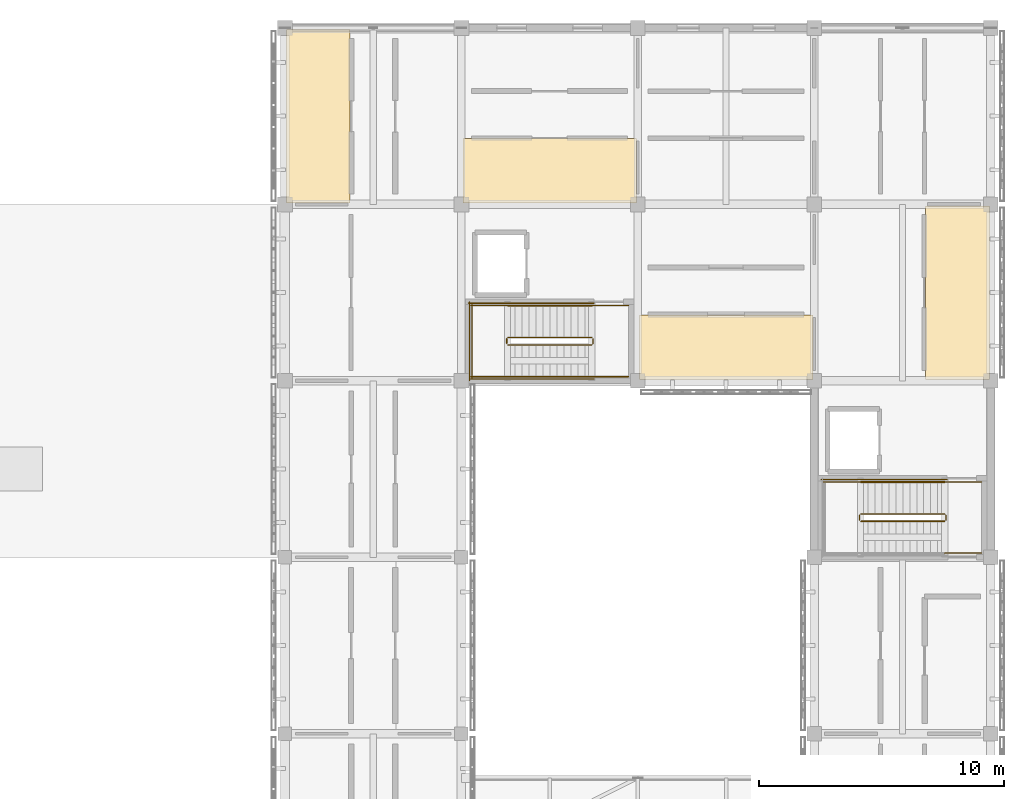
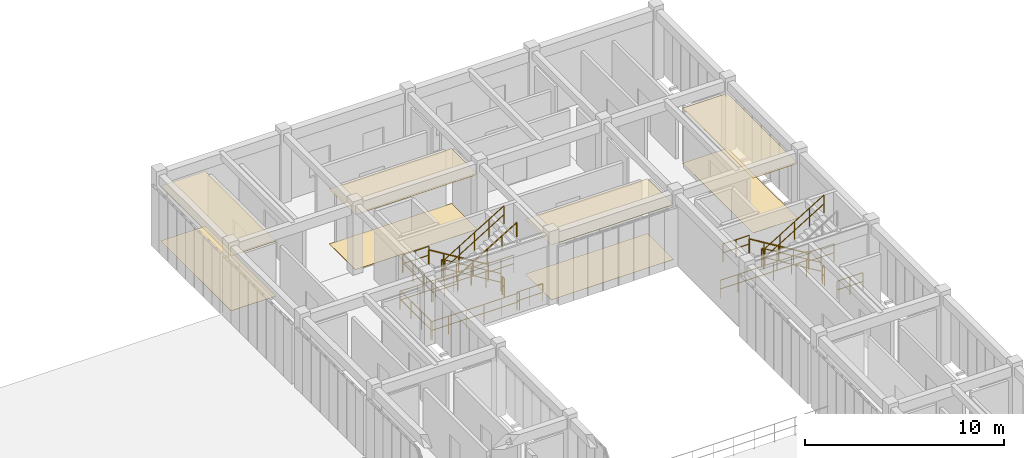
# One storey, part 91 of 91: 23 railings, 8 coverings.
"""IFC4 building model written with IfcOpenShell, lengths in metres."""

from ifc_helpers import new_model, si_unit, direction, frame, origin, origin_2d, place, context, subcontext, project, spatial, polyline, circle, outline, extrude, material, layer, layer_set, type_object, element, save


model = new_model("IFC4")

# Units and contexts
model_context = context("Model", 3, precision=1e-05, world=origin(), true_north=direction((0.0, 1.0)))
body_context = subcontext(model_context, "Body", "Model", "MODEL_VIEW")
ifc_project = project(units=[si_unit("LENGTHUNIT", "METRE"), si_unit("AREAUNIT", "SQUARE_METRE"), si_unit("VOLUMEUNIT", "CUBIC_METRE"), si_unit("PLANEANGLEUNIT", "RADIAN"), si_unit("MASSUNIT", "GRAM", prefix="KILO")], contexts=[model_context])

# Site, building, storey
site_placement = place(None, origin())
site = spatial("IfcSite", under=ifc_project, at=site_placement, CompositionType="ELEMENT")
building_placement = place(site_placement, origin())
building = spatial("IfcBuilding", under=site, at=building_placement, Name="Aldebral Square Health Centre", CompositionType="ELEMENT")
storey_placement = place(building_placement, frame((0.0, 0.0, 9.0)))
storey = spatial("IfcBuildingStorey", under=building, at=storey_placement, Name="L02", CompositionType="ELEMENT", Elevation=9.0)

# Coverings
ifc_material_1 = material(Name="Hygienic acoustic mineral ceiling tile")
ifc_layer_1 = layer(ifc_material_1, 0.02001953125, Name="Hygienic acoustic mineral ceiling tile")
ifc_layer_set_1 = layer_set([ifc_layer_1], Name="Hygienic acoustic mineral ceiling tile")
covering_type_1 = type_object("IfcCoveringType", Name="COV-CLG-AC", PredefinedType="CEILING", material=ifc_layer_set_1)
covering_1_placement = place(storey_placement, frame((0.0, 0.0, 3.360107421875)))
element("IfcCovering", 1, at=covering_1_placement, inside=storey, type_object=covering_type_1, Name="L02 Orthopaedic Cast Clinic 20.16W acoustic ceiling", PredefinedType="CEILING", context=body_context, shape_type="SweptSolid", body=[
    extrude(outline(polyline([(136.860107421875, 108.06005859375), (139.4599609375, 108.06005859375), (139.4599609375, 115.139892578125), (136.860107421875, 115.139892578125), (136.860107421875, 108.06005859375)])), origin(), (0.0, 0.0, 1.0), 0.019775390625),
])
covering_2_placement = place(storey_placement, frame((0.0, 0.0, 3.360107421875)))
element("IfcCovering", 2, at=covering_2_placement, inside=storey, type_object=covering_type_1, Name="L02 Ophthalmology Exam Suite 21.16S acoustic ceiling", PredefinedType="CEILING", context=body_context, shape_type="SweptSolid", body=[
    extrude(outline(polyline([(144.06005859375, 108.06005859375), (151.139892578125, 108.06005859375), (151.139892578125, 110.679931640625), (144.06005859375, 110.679931640625), (144.06005859375, 108.06005859375)])), origin(), (0.0, 0.0, 1.0), 0.019775390625),
])
covering_3_placement = place(storey_placement, frame((0.0, 0.0, 3.360107421875)))
element("IfcCovering", 3, at=covering_3_placement, inside=storey, type_object=covering_type_1, Name="L02 Accessible WC 22.15S acoustic ceiling", PredefinedType="CEILING", context=body_context, shape_type="SweptSolid", body=[
    extrude(outline(polyline([(151.260009765625, 100.860107421875), (158.340087890625, 100.860107421875), (158.340087890625, 103.47998046875), (151.260009765625, 103.47998046875), (151.260009765625, 100.860107421875)])), origin(), (0.0, 0.0, 1.0), 0.019775390625),
])
covering_4_placement = place(storey_placement, frame((0.0, 0.0, 3.360107421875)))
element("IfcCovering", 4, at=covering_4_placement, inside=storey, type_object=covering_type_1, Name="L02 Accessible WC 23.15E acoustic ceiling", PredefinedType="CEILING", context=body_context, shape_type="SweptSolid", body=[
    extrude(outline(polyline([(162.93994140625, 100.860107421875), (165.5400390625, 100.860107421875), (165.5400390625, 107.93994140625), (162.93994140625, 107.93994140625), (162.93994140625, 100.860107421875)])), origin(), (0.0, 0.0, 1.0), 0.019775390625),
])
ifc_material_2 = material(Name="Antimicrobial clinical vinyl flooring")
ifc_layer_2 = layer(ifc_material_2, 0.014892578125, Name="Antimicrobial clinical vinyl flooring")
ifc_layer_set_2 = layer_set([ifc_layer_2], Name="Antimicrobial clinical vinyl flooring")
covering_type_2 = type_object("IfcCoveringType", Name="COV-FLR-VN", PredefinedType="FLOORING", material=ifc_layer_set_2)
covering_5_placement = place(storey_placement, origin())
element("IfcCovering", 5, at=covering_5_placement, inside=storey, type_object=covering_type_2, Name="L02 Orthopaedic Cast Clinic 20.16W clinical flooring", PredefinedType="FLOORING", context=body_context, shape_type="SweptSolid", body=[
    extrude(outline(polyline([(136.860107421875, 108.06005859375), (139.4599609375, 108.06005859375), (139.4599609375, 115.139892578125), (136.860107421875, 115.139892578125), (136.860107421875, 108.06005859375)])), origin(), (0.0, 0.0, 1.0), 0.014892578125),
])
covering_6_placement = place(storey_placement, origin())
element("IfcCovering", 6, at=covering_6_placement, inside=storey, type_object=covering_type_2, Name="L02 Ophthalmology Exam Suite 21.16S clinical flooring", PredefinedType="FLOORING", context=body_context, shape_type="SweptSolid", body=[
    extrude(outline(polyline([(144.06005859375, 108.06005859375), (151.139892578125, 108.06005859375), (151.139892578125, 110.679931640625), (144.06005859375, 110.679931640625), (144.06005859375, 108.06005859375)])), origin(), (0.0, 0.0, 1.0), 0.014892578125),
])
covering_7_placement = place(storey_placement, origin())
element("IfcCovering", 7, at=covering_7_placement, inside=storey, type_object=covering_type_2, Name="L02 Accessible WC 22.15S clinical flooring", PredefinedType="FLOORING", context=body_context, shape_type="SweptSolid", body=[
    extrude(outline(polyline([(151.260009765625, 100.860107421875), (158.340087890625, 100.860107421875), (158.340087890625, 103.47998046875), (151.260009765625, 103.47998046875), (151.260009765625, 100.860107421875)])), origin(), (0.0, 0.0, 1.0), 0.014892578125),
])
covering_8_placement = place(storey_placement, origin())
element("IfcCovering", 8, at=covering_8_placement, inside=storey, type_object=covering_type_2, Name="L02 Accessible WC 23.15E clinical flooring", PredefinedType="FLOORING", context=body_context, shape_type="SweptSolid", body=[
    extrude(outline(polyline([(162.93994140625, 100.860107421875), (165.5400390625, 100.860107421875), (165.5400390625, 107.93994140625), (162.93994140625, 107.93994140625), (162.93994140625, 100.860107421875)])), origin(), (0.0, 0.0, 1.0), 0.014892578125),
])

# Railings
ifc_material_3 = material(Name="Painted steel S355JR stair guard", Category="steel")
railing_type_1 = type_object("IfcRailingType", Name="RL-ST-GRD", PredefinedType="GUARDRAIL", material=ifc_material_3)
railing_1_placement = place(storey_placement, frame((163.719970703125, 95.3701171875, 0.173095703125)))
element("IfcRailing", 9, at=railing_1_placement, inside=storey, type_object=railing_type_1, Name="L02 ST-03 stair guard 1", PredefinedType="GUARDRAIL", context=body_context, shape_type="SweptSolid", body=[
    extrude(circle(Radius=0.02392578125, at=origin_2d()), frame((0.0, 0.0, 1.09619140625), z_axis=(-0.854729506542, 0.0, 0.519073665916), x_axis=(0.0, -1.0, 0.0)), (0.0, 0.0, 1.0), 4.001220703125),
    extrude(circle(Radius=0.02392578125, at=origin_2d()), frame((0.0, 0.0, 0.56005859375), z_axis=(-0.854729506542, 0.0, 0.519073665916), x_axis=(0.0, -1.0, 0.0)), (0.0, 0.0, 1.0), 4.001220703125),
    extrude(circle(Radius=0.02099609375, at=origin_2d()), origin(), (0.0, 0.0, 1.0), 1.072021484375),
    extrude(circle(Radius=0.02099609375, at=origin_2d()), frame((-0.85498046875, 0.0, 0.519287109375)), (0.0, 0.0, 1.0), 1.072021484375),
    extrude(circle(Radius=0.02099609375, at=origin_2d()), frame((-1.7099609375, 0.0, 1.03857421875)), (0.0, 0.0, 1.0), 1.072021484375),
    extrude(circle(Radius=0.02099609375, at=origin_2d()), frame((-2.56494140625, 0.0, 1.5576171875)), (0.0, 0.0, 1.0), 1.072021484375),
    extrude(circle(Radius=0.02099609375, at=origin_2d()), frame((-3.419921875, 0.0, 2.076904296875)), (0.0, 0.0, 1.0), 1.072021484375),
])
railing_2_placement = place(storey_placement, frame((160.25, 95.320068359375, 2.25)))
element("IfcRailing", 10, at=railing_2_placement, inside=storey, type_object=railing_type_1, Name="L02 ST-03 stair guard 2", PredefinedType="GUARDRAIL", context=body_context, shape_type="SweptSolid", body=[
    extrude(circle(Radius=0.02392578125, at=origin_2d()), frame((0.0, 0.0, 1.09619140625), z_axis=(0.0, -1.0, 0.0), x_axis=(1.0, 0.0, 0.0)), (0.0, 0.0, 1.0), 0.199951171875),
    extrude(circle(Radius=0.02392578125, at=origin_2d()), frame((0.0, 0.0, 0.56005859375), z_axis=(0.0, -1.0, 0.0), x_axis=(1.0, 0.0, 0.0)), (0.0, 0.0, 1.0), 0.199951171875),
    extrude(circle(Radius=0.02099609375, at=origin_2d()), origin(), (0.0, 0.0, 1.0), 1.072021484375),
    extrude(circle(Radius=0.02099609375, at=origin_2d()), frame((0.0, -0.199951171875, 0.0)), (0.0, 0.0, 1.0), 1.072021484375),
])
railing_3_placement = place(storey_placement, frame((160.300048828125, 96.669921875, 2.25)))
element("IfcRailing", 11, at=railing_3_placement, inside=storey, type_object=railing_type_1, Name="L02 ST-03 stair guard 3", PredefinedType="GUARDRAIL", context=body_context, shape_type="SweptSolid", body=[
    extrude(circle(Radius=0.02392578125, at=origin_2d()), frame((0.0, 0.0, 1.09619140625), z_axis=(-1.0, 0.0, 0.0), x_axis=(0.0, -1.0, 0.0)), (0.0, 0.0, 1.0), 1.52001953125),
    extrude(circle(Radius=0.02392578125, at=origin_2d()), frame((0.0, 0.0, 0.56005859375), z_axis=(-1.0, 0.0, 0.0), x_axis=(0.0, -1.0, 0.0)), (0.0, 0.0, 1.0), 1.52001953125),
    extrude(circle(Radius=0.02099609375, at=origin_2d()), origin(), (0.0, 0.0, 1.0), 1.072021484375),
    extrude(circle(Radius=0.02099609375, at=origin_2d()), frame((-0.760009765625, 0.0, 0.0)), (0.0, 0.0, 1.0), 1.072021484375),
    extrude(circle(Radius=0.02099609375, at=origin_2d()), frame((-1.52001953125, 0.0, 0.0)), (0.0, 0.0, 1.0), 1.072021484375),
])
railing_4_placement = place(storey_placement, frame((160.300048828125, 95.070068359375, 2.423095703125)))
element("IfcRailing", 12, at=railing_4_placement, inside=storey, type_object=railing_type_1, Name="L02 ST-03 stair guard 6", PredefinedType="GUARDRAIL", context=body_context, shape_type="SweptSolid", body=[
    extrude(circle(Radius=0.02392578125, at=origin_2d()), frame((0.0, 0.0, 1.09619140625), z_axis=(0.854729506542, 0.0, 0.519073665916), x_axis=(0.0, 1.0, 0.0)), (0.0, 0.0, 1.0), 4.001220703125),
    extrude(circle(Radius=0.02392578125, at=origin_2d()), frame((0.0, 0.0, 0.56005859375), z_axis=(0.854729506542, 0.0, 0.519073665916), x_axis=(0.0, 1.0, 0.0)), (0.0, 0.0, 1.0), 4.001220703125),
    extrude(circle(Radius=0.02099609375, at=origin_2d()), origin(), (0.0, 0.0, 1.0), 1.072021484375),
    extrude(circle(Radius=0.02099609375, at=origin_2d()), frame((0.85498046875, 0.0, 0.519287109375)), (0.0, 0.0, 1.0), 1.072021484375),
    extrude(circle(Radius=0.02099609375, at=origin_2d()), frame((1.7099609375, 0.0, 1.03857421875)), (0.0, 0.0, 1.0), 1.072021484375),
    extrude(circle(Radius=0.02099609375, at=origin_2d()), frame((2.56494140625, 0.0, 1.5576171875)), (0.0, 0.0, 1.0), 1.072021484375),
    extrude(circle(Radius=0.02099609375, at=origin_2d()), frame((3.419921875, 0.0, 2.076904296875)), (0.0, 0.0, 1.0), 1.072021484375),
])
railing_5_placement = place(storey_placement, frame((163.77001953125, 95.320068359375, 0.0)))
element("IfcRailing", 13, at=railing_5_placement, inside=storey, type_object=railing_type_1, Name="L02 ST-03 stair guard 7", PredefinedType="GUARDRAIL", context=body_context, shape_type="SweptSolid", body=[
    extrude(circle(Radius=0.02392578125, at=origin_2d()), frame((0.0, 0.0, 1.09619140625), z_axis=(0.0, -1.0, 0.0), x_axis=(1.0, 0.0, 0.0)), (0.0, 0.0, 1.0), 0.199951171875),
    extrude(circle(Radius=0.02392578125, at=origin_2d()), frame((0.0, 0.0, 0.56005859375), z_axis=(0.0, -1.0, 0.0), x_axis=(1.0, 0.0, 0.0)), (0.0, 0.0, 1.0), 0.199951171875),
    extrude(circle(Radius=0.02099609375, at=origin_2d()), origin(), (0.0, 0.0, 1.0), 1.072021484375),
    extrude(circle(Radius=0.02099609375, at=origin_2d()), frame((0.0, -0.199951171875, 0.0)), (0.0, 0.0, 1.0), 1.072021484375),
])
for number, where, name in (
    (14, (165.219970703125, 96.669921875, 0.0), "L02 ST-03 stair guard 8"),
    (15, (165.219970703125, 93.77001953125, 0.0), "L02 ST-03 stair guard 9"),
):
    element("IfcRailing", number, at=place(storey_placement, frame(where)), inside=storey, type_object=railing_type_1, Name=name, PredefinedType="GUARDRAIL", context=body_context, shape_type="SweptSolid", body=[
        extrude(circle(Radius=0.02392578125, at=origin_2d()), frame((0.0, 0.0, 1.09619140625), z_axis=(-1.0, 0.0, 0.0), x_axis=(0.0, -1.0, 0.0)), (0.0, 0.0, 1.0), 1.5),
        extrude(circle(Radius=0.02392578125, at=origin_2d()), frame((0.0, 0.0, 0.56005859375), z_axis=(-1.0, 0.0, 0.0), x_axis=(0.0, -1.0, 0.0)), (0.0, 0.0, 1.0), 1.5),
        extrude(circle(Radius=0.02099609375, at=origin_2d()), origin(), (0.0, 0.0, 1.0), 1.072021484375),
        extrude(circle(Radius=0.02099609375, at=origin_2d()), frame((-0.75, 0.0, 0.0)), (0.0, 0.0, 1.0), 1.072021484375),
        extrude(circle(Radius=0.02099609375, at=origin_2d()), frame((-1.5, 0.0, 0.0)), (0.0, 0.0, 1.0), 1.072021484375),
    ])
railing_6_placement = place(storey_placement, frame((163.820068359375, 96.77001953125, 0.0)))
element("IfcRailing", 16, at=railing_6_placement, inside=storey, type_object=railing_type_1, Name="L02 ST-03 stair guard 10", PredefinedType="GUARDRAIL", context=body_context, shape_type="SweptSolid", body=[
    extrude(circle(Radius=0.02392578125, at=origin_2d()), frame((0.0, 0.0, 1.09619140625), z_axis=(-1.0, 0.0, 0.0), x_axis=(0.0, -1.0, 0.0)), (0.0, 0.0, 1.0), 5.14013671875),
    extrude(circle(Radius=0.02392578125, at=origin_2d()), frame((0.0, 0.0, 0.56005859375), z_axis=(-1.0, 0.0, 0.0), x_axis=(0.0, -1.0, 0.0)), (0.0, 0.0, 1.0), 5.14013671875),
    extrude(circle(Radius=0.02099609375, at=origin_2d()), origin(), (0.0, 0.0, 1.0), 1.072021484375),
    extrude(circle(Radius=0.02099609375, at=origin_2d()), frame((-1.028076171875, 0.0, 0.0)), (0.0, 0.0, 1.0), 1.072021484375),
    extrude(circle(Radius=0.02099609375, at=origin_2d()), frame((-2.05615234375, 0.0, 0.0)), (0.0, 0.0, 1.0), 1.072021484375),
    extrude(circle(Radius=0.02099609375, at=origin_2d()), frame((-3.083984375, 0.0, 0.0)), (0.0, 0.0, 1.0), 1.072021484375),
    extrude(circle(Radius=0.02099609375, at=origin_2d()), frame((-4.112060546875, 0.0, 0.0)), (0.0, 0.0, 1.0), 1.072021484375),
    extrude(circle(Radius=0.02099609375, at=origin_2d()), frame((-5.14013671875, 0.0, 0.0)), (0.0, 0.0, 1.0), 1.072021484375),
])
railing_7_placement = place(storey_placement, frame((149.320068359375, 102.570068359375, 0.173095703125)))
element("IfcRailing", 17, at=railing_7_placement, inside=storey, type_object=railing_type_1, Name="L02 ST-04 stair guard 1", PredefinedType="GUARDRAIL", context=body_context, shape_type="SweptSolid", body=[
    extrude(circle(Radius=0.02392578125, at=origin_2d()), frame((0.0, 0.0, 1.09619140625), z_axis=(-0.854745945586, 0.0, 0.519046595696), x_axis=(0.0, -1.0, 0.0)), (0.0, 0.0, 1.0), 4.00146484375),
    extrude(circle(Radius=0.02392578125, at=origin_2d()), frame((0.0, 0.0, 0.56005859375), z_axis=(-0.854745945586, 0.0, 0.519046595696), x_axis=(0.0, -1.0, 0.0)), (0.0, 0.0, 1.0), 4.00146484375),
    extrude(circle(Radius=0.02099609375, at=origin_2d()), origin(), (0.0, 0.0, 1.0), 1.072021484375),
    extrude(circle(Radius=0.02099609375, at=origin_2d()), frame((-0.85498046875, 0.0, 0.519287109375)), (0.0, 0.0, 1.0), 1.072021484375),
    extrude(circle(Radius=0.02099609375, at=origin_2d()), frame((-1.7099609375, 0.0, 1.03857421875)), (0.0, 0.0, 1.0), 1.072021484375),
    extrude(circle(Radius=0.02099609375, at=origin_2d()), frame((-2.565185546875, 0.0, 1.5576171875)), (0.0, 0.0, 1.0), 1.072021484375),
    extrude(circle(Radius=0.02099609375, at=origin_2d()), frame((-3.420166015625, 0.0, 2.076904296875)), (0.0, 0.0, 1.0), 1.072021484375),
])
railing_8_placement = place(storey_placement, frame((145.85009765625, 102.52001953125, 2.25)))
element("IfcRailing", 18, at=railing_8_placement, inside=storey, type_object=railing_type_1, Name="L02 ST-04 stair guard 2", PredefinedType="GUARDRAIL", context=body_context, shape_type="SweptSolid", body=[
    extrude(circle(Radius=0.02392578125, at=origin_2d()), frame((0.0, 0.0, 1.09619140625), z_axis=(0.0, -1.0, 0.0), x_axis=(1.0, 0.0, 0.0)), (0.0, 0.0, 1.0), 0.199951171875),
    extrude(circle(Radius=0.02392578125, at=origin_2d()), frame((0.0, 0.0, 0.56005859375), z_axis=(0.0, -1.0, 0.0), x_axis=(1.0, 0.0, 0.0)), (0.0, 0.0, 1.0), 0.199951171875),
    extrude(circle(Radius=0.02099609375, at=origin_2d()), origin(), (0.0, 0.0, 1.0), 1.072021484375),
    extrude(circle(Radius=0.02099609375, at=origin_2d()), frame((0.0, -0.199951171875, 0.0)), (0.0, 0.0, 1.0), 1.072021484375),
])
for number, where, name in (
    (19, (145.89990234375, 103.8701171875, 2.25), "L02 ST-04 stair guard 3"),
    (20, (145.89990234375, 100.969970703125, 2.25), "L02 ST-04 stair guard 4"),
):
    element("IfcRailing", number, at=place(storey_placement, frame(where)), inside=storey, type_object=railing_type_1, Name=name, PredefinedType="GUARDRAIL", context=body_context, shape_type="SweptSolid", body=[
        extrude(circle(Radius=0.02392578125, at=origin_2d()), frame((0.0, 0.0, 1.09619140625), z_axis=(-1.0, 0.0, 0.0), x_axis=(0.0, -1.0, 0.0)), (0.0, 0.0, 1.0), 1.52001953125),
        extrude(circle(Radius=0.02392578125, at=origin_2d()), frame((0.0, 0.0, 0.56005859375), z_axis=(-1.0, 0.0, 0.0), x_axis=(0.0, -1.0, 0.0)), (0.0, 0.0, 1.0), 1.52001953125),
        extrude(circle(Radius=0.02099609375, at=origin_2d()), origin(), (0.0, 0.0, 1.0), 1.072021484375),
        extrude(circle(Radius=0.02099609375, at=origin_2d()), frame((-0.760009765625, 0.0, 0.0)), (0.0, 0.0, 1.0), 1.072021484375),
        extrude(circle(Radius=0.02099609375, at=origin_2d()), frame((-1.52001953125, 0.0, 0.0)), (0.0, 0.0, 1.0), 1.072021484375),
    ])
railing_9_placement = place(storey_placement, frame((144.429931640625, 103.919921875, 2.25)))
element("IfcRailing", 21, at=railing_9_placement, inside=storey, type_object=railing_type_1, Name="L02 ST-04 stair guard 5", PredefinedType="GUARDRAIL", context=body_context, shape_type="SweptSolid", body=[
    extrude(circle(Radius=0.02392578125, at=origin_2d()), frame((0.0, 0.0, 1.09619140625), z_axis=(0.0, -1.0, 0.0), x_axis=(1.0, 0.0, 0.0)), (0.0, 0.0, 1.0), 3.0),
    extrude(circle(Radius=0.02392578125, at=origin_2d()), frame((0.0, 0.0, 0.56005859375), z_axis=(0.0, -1.0, 0.0), x_axis=(1.0, 0.0, 0.0)), (0.0, 0.0, 1.0), 3.0),
    extrude(circle(Radius=0.02099609375, at=origin_2d()), origin(), (0.0, 0.0, 1.0), 1.072021484375),
    extrude(circle(Radius=0.02099609375, at=origin_2d()), frame((0.0, -1.0, 0.0)), (0.0, 0.0, 1.0), 1.072021484375),
    extrude(circle(Radius=0.02099609375, at=origin_2d()), frame((0.0, -2.0, 0.0)), (0.0, 0.0, 1.0), 1.072021484375),
    extrude(circle(Radius=0.02099609375, at=origin_2d()), frame((0.0, -3.0, 0.0)), (0.0, 0.0, 1.0), 1.072021484375),
])
railing_10_placement = place(storey_placement, frame((145.89990234375, 102.27001953125, 2.423095703125)))
element("IfcRailing", 22, at=railing_10_placement, inside=storey, type_object=railing_type_1, Name="L02 ST-04 stair guard 6", PredefinedType="GUARDRAIL", context=body_context, shape_type="SweptSolid", body=[
    extrude(circle(Radius=0.02392578125, at=origin_2d()), frame((0.0, 0.0, 1.09619140625), z_axis=(0.854745945586, 0.0, 0.519046595696), x_axis=(0.0, 1.0, 0.0)), (0.0, 0.0, 1.0), 4.00146484375),
    extrude(circle(Radius=0.02392578125, at=origin_2d()), frame((0.0, 0.0, 0.56005859375), z_axis=(0.854745945586, 0.0, 0.519046595696), x_axis=(0.0, 1.0, 0.0)), (0.0, 0.0, 1.0), 4.00146484375),
    extrude(circle(Radius=0.02099609375, at=origin_2d()), origin(), (0.0, 0.0, 1.0), 1.072021484375),
    extrude(circle(Radius=0.02099609375, at=origin_2d()), frame((0.85498046875, 0.0, 0.519287109375)), (0.0, 0.0, 1.0), 1.072021484375),
    extrude(circle(Radius=0.02099609375, at=origin_2d()), frame((1.7099609375, 0.0, 1.03857421875)), (0.0, 0.0, 1.0), 1.072021484375),
    extrude(circle(Radius=0.02099609375, at=origin_2d()), frame((2.565185546875, 0.0, 1.5576171875)), (0.0, 0.0, 1.0), 1.072021484375),
    extrude(circle(Radius=0.02099609375, at=origin_2d()), frame((3.420166015625, 0.0, 2.076904296875)), (0.0, 0.0, 1.0), 1.072021484375),
])
railing_11_placement = place(storey_placement, frame((149.3701171875, 102.52001953125, 0.0)))
element("IfcRailing", 23, at=railing_11_placement, inside=storey, type_object=railing_type_1, Name="L02 ST-04 stair guard 7", PredefinedType="GUARDRAIL", context=body_context, shape_type="SweptSolid", body=[
    extrude(circle(Radius=0.02392578125, at=origin_2d()), frame((0.0, 0.0, 1.09619140625), z_axis=(0.0, -1.0, 0.0), x_axis=(1.0, 0.0, 0.0)), (0.0, 0.0, 1.0), 0.199951171875),
    extrude(circle(Radius=0.02392578125, at=origin_2d()), frame((0.0, 0.0, 0.56005859375), z_axis=(0.0, -1.0, 0.0), x_axis=(1.0, 0.0, 0.0)), (0.0, 0.0, 1.0), 0.199951171875),
    extrude(circle(Radius=0.02099609375, at=origin_2d()), origin(), (0.0, 0.0, 1.0), 1.072021484375),
    extrude(circle(Radius=0.02099609375, at=origin_2d()), frame((0.0, -0.199951171875, 0.0)), (0.0, 0.0, 1.0), 1.072021484375),
])
for number, where, name in (
    (24, (150.820068359375, 103.8701171875, 0.0), "L02 ST-04 stair guard 8"),
    (25, (150.820068359375, 100.969970703125, 0.0), "L02 ST-04 stair guard 9"),
):
    element("IfcRailing", number, at=place(storey_placement, frame(where)), inside=storey, type_object=railing_type_1, Name=name, PredefinedType="GUARDRAIL", context=body_context, shape_type="SweptSolid", body=[
        extrude(circle(Radius=0.02392578125, at=origin_2d()), frame((0.0, 0.0, 1.09619140625), z_axis=(-1.0, 0.0, 0.0), x_axis=(0.0, -1.0, 0.0)), (0.0, 0.0, 1.0), 1.5),
        extrude(circle(Radius=0.02392578125, at=origin_2d()), frame((0.0, 0.0, 0.56005859375), z_axis=(-1.0, 0.0, 0.0), x_axis=(0.0, -1.0, 0.0)), (0.0, 0.0, 1.0), 1.5),
        extrude(circle(Radius=0.02099609375, at=origin_2d()), origin(), (0.0, 0.0, 1.0), 1.072021484375),
        extrude(circle(Radius=0.02099609375, at=origin_2d()), frame((-0.75, 0.0, 0.0)), (0.0, 0.0, 1.0), 1.072021484375),
        extrude(circle(Radius=0.02099609375, at=origin_2d()), frame((-1.5, 0.0, 0.0)), (0.0, 0.0, 1.0), 1.072021484375),
    ])
for number, where, name in (
    (26, (149.419921875, 103.969970703125, 0.0), "L02 ST-04 stair guard 10"),
    (27, (149.419921875, 100.8701171875, 0.0), "L02 ST-04 stair guard 11"),
):
    element("IfcRailing", number, at=place(storey_placement, frame(where)), inside=storey, type_object=railing_type_1, Name=name, PredefinedType="GUARDRAIL", context=body_context, shape_type="SweptSolid", body=[
        extrude(circle(Radius=0.02392578125, at=origin_2d()), frame((0.0, 0.0, 1.09619140625), z_axis=(-1.0, 0.0, 0.0), x_axis=(0.0, -1.0, 0.0)), (0.0, 0.0, 1.0), 5.139892578125),
        extrude(circle(Radius=0.02392578125, at=origin_2d()), frame((0.0, 0.0, 0.56005859375), z_axis=(-1.0, 0.0, 0.0), x_axis=(0.0, -1.0, 0.0)), (0.0, 0.0, 1.0), 5.139892578125),
        extrude(circle(Radius=0.02099609375, at=origin_2d()), origin(), (0.0, 0.0, 1.0), 1.072021484375),
        extrude(circle(Radius=0.02099609375, at=origin_2d()), frame((-1.028076171875, 0.0, 0.0)), (0.0, 0.0, 1.0), 1.072021484375),
        extrude(circle(Radius=0.02099609375, at=origin_2d()), frame((-2.055908203125, 0.0, 0.0)), (0.0, 0.0, 1.0), 1.072021484375),
        extrude(circle(Radius=0.02099609375, at=origin_2d()), frame((-3.083984375, 0.0, 0.0)), (0.0, 0.0, 1.0), 1.072021484375),
        extrude(circle(Radius=0.02099609375, at=origin_2d()), frame((-4.11181640625, 0.0, 0.0)), (0.0, 0.0, 1.0), 1.072021484375),
        extrude(circle(Radius=0.02099609375, at=origin_2d()), frame((-5.139892578125, 0.0, 0.0)), (0.0, 0.0, 1.0), 1.072021484375),
    ])
railing_12_placement = place(storey_placement, frame((144.330078125, 104.02001953125, 0.0)))
element("IfcRailing", 28, at=railing_12_placement, inside=storey, type_object=railing_type_1, Name="L02 ST-04 stair guard 12", PredefinedType="GUARDRAIL", context=body_context, shape_type="SweptSolid", body=[
    extrude(circle(Radius=0.02392578125, at=origin_2d()), frame((0.0, 0.0, 1.09619140625), z_axis=(0.0, -1.0, 0.0), x_axis=(1.0, 0.0, 0.0)), (0.0, 0.0, 1.0), 3.199951171875),
    extrude(circle(Radius=0.02392578125, at=origin_2d()), frame((0.0, 0.0, 0.56005859375), z_axis=(0.0, -1.0, 0.0), x_axis=(1.0, 0.0, 0.0)), (0.0, 0.0, 1.0), 3.199951171875),
    extrude(circle(Radius=0.02099609375, at=origin_2d()), origin(), (0.0, 0.0, 1.0), 1.072021484375),
    extrude(circle(Radius=0.02099609375, at=origin_2d()), frame((0.0, -1.066650390625, 0.0)), (0.0, 0.0, 1.0), 1.072021484375),
    extrude(circle(Radius=0.02099609375, at=origin_2d()), frame((0.0, -2.13330078125, 0.0)), (0.0, 0.0, 1.0), 1.072021484375),
    extrude(circle(Radius=0.02099609375, at=origin_2d()), frame((0.0, -3.199951171875, 0.0)), (0.0, 0.0, 1.0), 1.072021484375),
])
ifc_material_4 = material(Name="Brushed stainless steel handrail", Category="steel")
railing_type_2 = type_object("IfcRailingType", Name="RL-ST-HND", PredefinedType="HANDRAIL", material=ifc_material_4)
railing_13_placement = place(storey_placement, frame((163.719970703125, 96.669921875, 0.173095703125)))
element("IfcRailing", 29, at=railing_13_placement, inside=storey, type_object=railing_type_2, Name="L02 ST-03 stair handrail 1", PredefinedType="HANDRAIL", context=body_context, shape_type="SweptSolid", body=[
    extrude(circle(Radius=0.02392578125, at=origin_2d()), frame((0.0, 0.0, 0.8759765625), z_axis=(-0.854729506542, 0.0, 0.519073665916), x_axis=(0.0, -1.0, 0.0)), (0.0, 0.0, 1.0), 4.001220703125),
    extrude(circle(Radius=0.02099609375, at=origin_2d()), origin(), (0.0, 0.0, 1.0), 0.851806640625),
    extrude(circle(Radius=0.02099609375, at=origin_2d()), frame((-0.85498046875, 0.0, 0.519287109375)), (0.0, 0.0, 1.0), 0.851806640625),
    extrude(circle(Radius=0.02099609375, at=origin_2d()), frame((-1.7099609375, 0.0, 1.03857421875)), (0.0, 0.0, 1.0), 0.851806640625),
    extrude(circle(Radius=0.02099609375, at=origin_2d()), frame((-2.56494140625, 0.0, 1.5576171875)), (0.0, 0.0, 1.0), 0.851806640625),
    extrude(circle(Radius=0.02099609375, at=origin_2d()), frame((-3.419921875, 0.0, 2.076904296875)), (0.0, 0.0, 1.0), 0.851806640625),
])
railing_14_placement = place(storey_placement, frame((149.320068359375, 103.8701171875, 0.173095703125)))
element("IfcRailing", 30, at=railing_14_placement, inside=storey, type_object=railing_type_2, Name="L02 ST-04 stair handrail 1", PredefinedType="HANDRAIL", context=body_context, shape_type="SweptSolid", body=[
    extrude(circle(Radius=0.02392578125, at=origin_2d()), frame((0.0, 0.0, 0.8759765625), z_axis=(-0.854745945586, 0.0, 0.519046595696), x_axis=(0.0, -1.0, 0.0)), (0.0, 0.0, 1.0), 4.00146484375),
    extrude(circle(Radius=0.02099609375, at=origin_2d()), origin(), (0.0, 0.0, 1.0), 0.851806640625),
    extrude(circle(Radius=0.02099609375, at=origin_2d()), frame((-0.85498046875, 0.0, 0.519287109375)), (0.0, 0.0, 1.0), 0.851806640625),
    extrude(circle(Radius=0.02099609375, at=origin_2d()), frame((-1.7099609375, 0.0, 1.03857421875)), (0.0, 0.0, 1.0), 0.851806640625),
    extrude(circle(Radius=0.02099609375, at=origin_2d()), frame((-2.565185546875, 0.0, 1.5576171875)), (0.0, 0.0, 1.0), 0.851806640625),
    extrude(circle(Radius=0.02099609375, at=origin_2d()), frame((-3.420166015625, 0.0, 2.076904296875)), (0.0, 0.0, 1.0), 0.851806640625),
])
railing_15_placement = place(storey_placement, frame((145.89990234375, 100.969970703125, 2.423095703125)))
element("IfcRailing", 31, at=railing_15_placement, inside=storey, type_object=railing_type_2, Name="L02 ST-04 stair handrail 2", PredefinedType="HANDRAIL", context=body_context, shape_type="SweptSolid", body=[
    extrude(circle(Radius=0.02392578125, at=origin_2d()), frame((0.0, 0.0, 0.8759765625), z_axis=(0.854745945586, 0.0, 0.519046595696), x_axis=(0.0, 1.0, 0.0)), (0.0, 0.0, 1.0), 4.00146484375),
    extrude(circle(Radius=0.02099609375, at=origin_2d()), origin(), (0.0, 0.0, 1.0), 0.851806640625),
    extrude(circle(Radius=0.02099609375, at=origin_2d()), frame((0.85498046875, 0.0, 0.519287109375)), (0.0, 0.0, 1.0), 0.851806640625),
    extrude(circle(Radius=0.02099609375, at=origin_2d()), frame((1.7099609375, 0.0, 1.03857421875)), (0.0, 0.0, 1.0), 0.851806640625),
    extrude(circle(Radius=0.02099609375, at=origin_2d()), frame((2.565185546875, 0.0, 1.5576171875)), (0.0, 0.0, 1.0), 0.851806640625),
    extrude(circle(Radius=0.02099609375, at=origin_2d()), frame((3.420166015625, 0.0, 2.076904296875)), (0.0, 0.0, 1.0), 0.851806640625),
])

save(model, "model.ifc")
